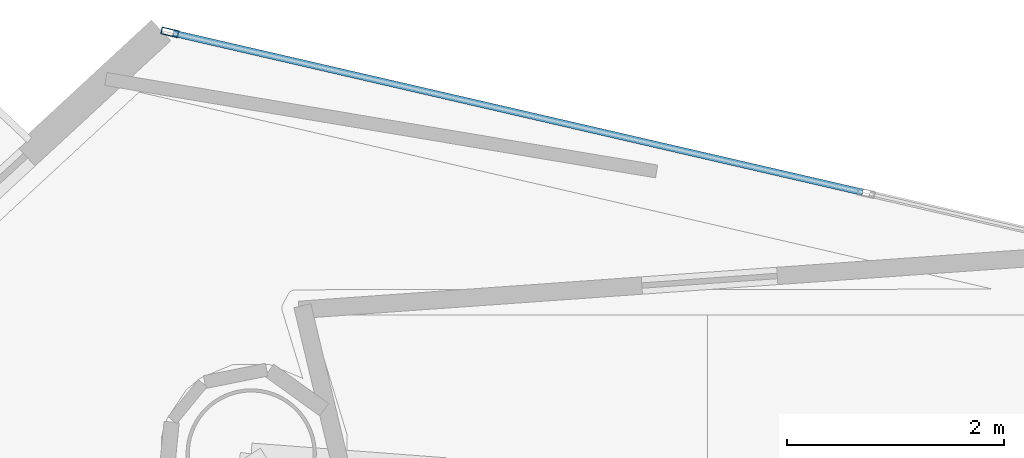
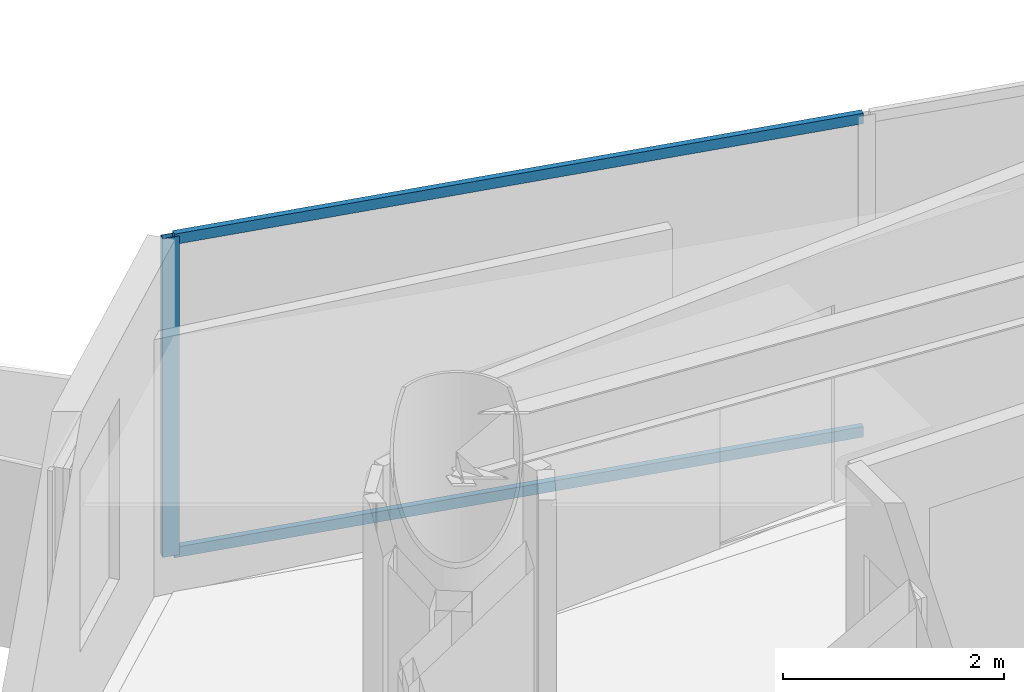
# One storey, part 15 of 22: 3 members, 1 element without a shape of its own.
"""IFC4 building model written with IfcOpenShell, lengths in metres."""

from ifc_helpers import new_model, si_unit, direction, frame, origin, origin_2d, place, context, subcontext, project, spatial, hollow_rectangle, extrude, material, layer, layer_set, material_profile, profile_set, type_object, element, aggregate, save


model = new_model("IFC4")

# Units and contexts
model_context = context("Model", 3, precision=1e-05, world=origin(), true_north=direction((0.0, 1.0)))
body_context = subcontext(model_context, "Body", "Model", "MODEL_VIEW")
ifc_project = project(units=[si_unit("LENGTHUNIT", "METRE"), si_unit("AREAUNIT", "SQUARE_METRE"), si_unit("VOLUMEUNIT", "CUBIC_METRE"), si_unit("PLANEANGLEUNIT", "RADIAN"), si_unit("MASSUNIT", "GRAM", prefix="KILO")], contexts=[model_context])

# Site, building, storey
site_placement = place(None, origin())
site = spatial("IfcSite", under=ifc_project, at=site_placement, CompositionType="ELEMENT")
building_placement = place(site_placement, origin())
building = spatial("IfcBuilding", under=site, at=building_placement, Name="Qianvela Tower", CompositionType="ELEMENT")
storey_placement = place(building_placement, frame((0.0, 0.0, 196.60009765625)))
storey = spatial("IfcBuildingStorey", under=building, at=storey_placement, Name="L50", CompositionType="ELEMENT", Elevation=196.60009765625)

# Curtain wall, members
ifc_material_1 = material(Name="Anodised Architectural Aluminium and Low-E Glass", Category="aluminium")
ifc_layer = layer(ifc_material_1, 0.159912109375)
ifc_layer_set = layer_set([ifc_layer], Name="Anodised Architectural Aluminium and Low-E Glass")
curtain_wall_type = type_object("IfcCurtainWallType", Name="CW-COLIV-Z56", PredefinedType="USERDEFINED", material=ifc_layer_set)
curtain_wall_placement = place(storey_placement, origin())
curtain_wall = element("IfcCurtainWall", 1, at=curtain_wall_placement, inside=storey, type_object=curtain_wall_type, Name="L50 CW-COLIV-Z56 Curtain Wall 02C", ObjectType="CURTAIN_WALL_SYSTEM", PredefinedType="USERDEFINED")
ifc_material_2 = material(Name="Anodised Architectural Aluminium 6063-T6", Category="aluminium")
ifc_material_profile_1 = material_profile(ifc_material_2, hollow_rectangle(XDim=0.06494140625, YDim=0.159912109375, WallThickness=0.0048828125, at=origin_2d()), Name="ALU-MULL-65x160")
ifc_profile_set_1 = profile_set([ifc_material_profile_1], Name="Anodised Architectural Aluminium 6063-T6")
member_type_1 = type_object("IfcMemberType", Name="CW-COLIV-Z56-MULL", PredefinedType="MULLION", material=ifc_profile_set_1)
member_1_placement = place(storey_placement, frame((25.681396484375, 40.87451171875, 0.0), z_axis=(0.0, 0.0, 1.0), x_axis=(-0.224835765484, -0.974396674132, 0.0)))
member_1 = element("IfcMember", 2, at=member_1_placement, type_object=member_type_1, Name="CW-5 mullion 3", PredefinedType="MULLION", context=body_context, shape_type="SweptSolid", body=[
    extrude(hollow_rectangle(XDim=0.06494140625, YDim=0.159912109375, WallThickness=0.0048828125, at=origin_2d()), origin(), (0.0, 0.0, 1.0), 3.52001953125),
])
ifc_material_3 = material(Name="Anodised Architectural Aluminium 6063-T6", Category="aluminium")
ifc_material_profile_2 = material_profile(ifc_material_3, hollow_rectangle(XDim=0.06005859375, YDim=0.114990234375, WallThickness=0.00390625, at=origin_2d()), Name="ALU-TRAN-60x115")
ifc_profile_set_2 = profile_set([ifc_material_profile_2], Name="Anodised Architectural Aluminium 6063-T6")
member_type_2 = type_object("IfcMemberType", Name="CW-COLIV-Z56-TRAN", PredefinedType="USERDEFINED", material=ifc_profile_set_2)
member_2_placement = place(storey_placement, frame((32.062744140625, 39.402099609375, 0.02978515625), z_axis=(-0.974398141048, 0.224829408045, 0.0), x_axis=(-0.224829408045, -0.974398141048, 0.0)))
member_2 = element("IfcMember", 3, at=member_2_placement, type_object=member_type_2, Name="CW-5 transom 2.1", ObjectType="TRANSOM", PredefinedType="USERDEFINED", context=body_context, shape_type="SweptSolid", body=[
    extrude(hollow_rectangle(XDim=0.06005859375, YDim=0.114990234375, WallThickness=0.00390625, at=origin_2d()), origin(), (0.0, 0.0, 1.0), 6.516357421875),
])
member_3_placement = place(storey_placement, frame((32.062744140625, 39.402099609375, 3.489990234375), z_axis=(-0.974398141048, 0.224829408045, 0.0), x_axis=(-0.224829408045, -0.974398141048, 0.0)))
member_3 = element("IfcMember", 4, at=member_3_placement, type_object=member_type_2, Name="CW-5 transom 2.2", ObjectType="TRANSOM", PredefinedType="USERDEFINED", context=body_context, shape_type="SweptSolid", body=[
    extrude(hollow_rectangle(XDim=0.06005859375, YDim=0.114990234375, WallThickness=0.00390625, at=origin_2d()), origin(), (0.0, 0.0, 1.0), 6.516357421875),
])
aggregate(curtain_wall, [member_1, member_2, member_3])

save(model, "model.ifc")
